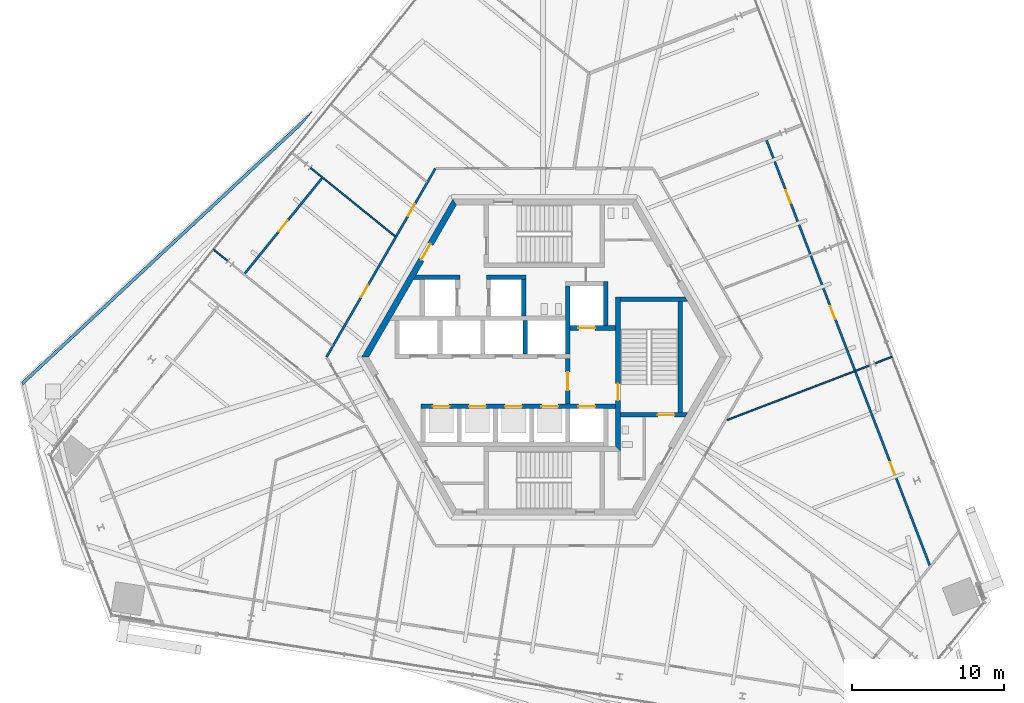
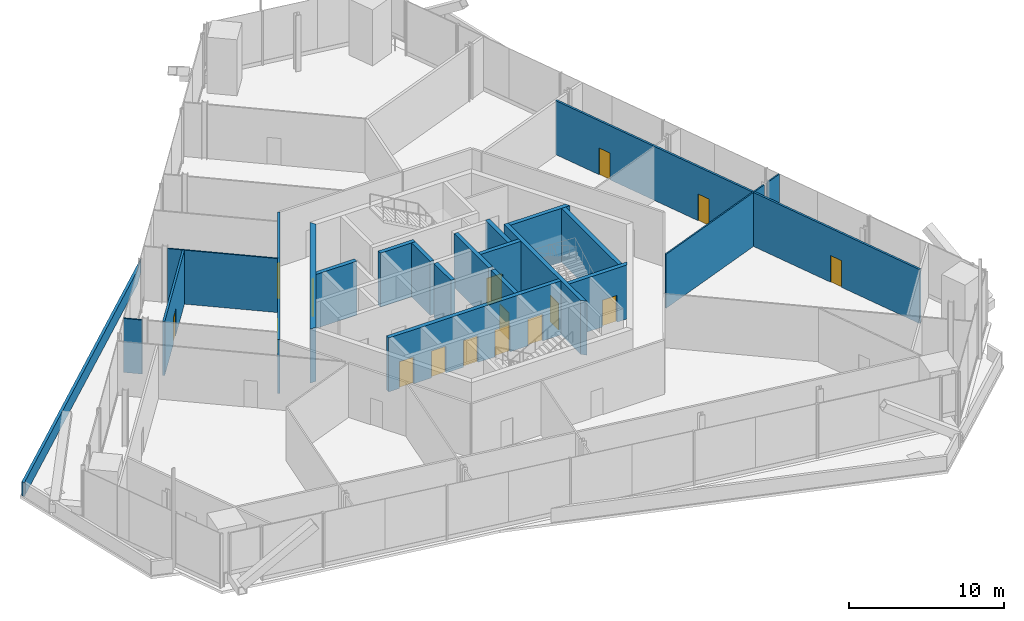
# One storey, part 15 of 22: 22 walls, 16 doors, 16 openings.
"""IFC4 building model written with IfcOpenShell, lengths in metres."""

from ifc_helpers import new_model, si_unit, direction, frame, frame_2d, origin, place, context, subcontext, project, spatial, polyline, rectangle, outline, extrude, source, transform, mapped, material, layer, layer_set, type_object, element, fill, save


model = new_model("IFC4")

# Units and contexts
model_context = context("Model", 3, precision=1e-05, world=origin(), true_north=direction((0.0, 1.0)))
body_context = subcontext(model_context, "Body", "Model", "MODEL_VIEW")
ifc_project = project(units=[si_unit("LENGTHUNIT", "METRE"), si_unit("AREAUNIT", "SQUARE_METRE"), si_unit("VOLUMEUNIT", "CUBIC_METRE"), si_unit("PLANEANGLEUNIT", "RADIAN"), si_unit("MASSUNIT", "GRAM", prefix="KILO")], contexts=[model_context])

# Site, building, storey
site_placement = place(None, origin())
site = spatial("IfcSite", under=ifc_project, at=site_placement, CompositionType="ELEMENT")
building_placement = place(site_placement, origin())
building = spatial("IfcBuilding", under=site, at=building_placement, Name="Triune Harvest Tower", CompositionType="ELEMENT")
storey_placement = place(building_placement, frame((0.0, 0.0, 138.10009765625)))
storey = spatial("IfcBuildingStorey", under=building, at=storey_placement, Name="L35", CompositionType="ELEMENT", Elevation=138.10009765625)

# Walls
ifc_material_1 = material(Name="Concrete 70 MPa", Category="concrete")
ifc_layer_1 = layer(ifc_material_1, 0.300048828125)
ifc_layer_set_1 = layer_set([ifc_layer_1], Name="Concrete 70 MPa")
wall_type_1 = type_object("IfcWallType", Name="Core wall 300", PredefinedType="SHEAR", material=ifc_layer_set_1)
wall_1_placement = place(storey_placement, frame((1.550048828125, 0.2099609375, 0.0), z_axis=(0.0, 0.0, 1.0), x_axis=(0.0, 1.0, 0.0)))
element("IfcWall", 1, at=wall_1_placement, inside=storey, type_object=wall_type_1, Name="Ff1 west wall", PredefinedType="SHEAR", context=body_context, shape_type="SweptSolid", body=[
    extrude(rectangle(XDim=4.449951171875, YDim=0.300048828125, at=frame_2d((2.22509765625, 0.0))), origin(), (0.0, 0.0, 1.0), 4.239990234375),
])
wall_2_placement = place(storey_placement, frame((4.050048828125, 2.06005859375, 0.0), z_axis=(0.0, 0.0, 1.0), x_axis=(0.0, 1.0, 0.0)))
element("IfcWall", 2, at=wall_2_placement, inside=storey, type_object=wall_type_1, Name="Ff1 east wall", PredefinedType="SHEAR", context=body_context, shape_type="SweptSolid", body=[
    extrude(rectangle(XDim=2.89990234375, YDim=0.300048828125, at=frame_2d((1.449951171875, 0.0))), origin(), (0.0, 0.0, 1.0), 4.239990234375),
])

# Wall, openings, doors
wall_3_placement = place(storey_placement, frame((-8.10009765625, -3.239990234375, 0.0), z_axis=(0.0, 0.0, 1.0), x_axis=(1.0, 0.0, 0.0)))
wall_3 = element("IfcWall", 3, at=wall_3_placement, inside=storey, type_object=wall_type_1, Name="South front wall", PredefinedType="SHEAR", context=body_context, shape_type="SweptSolid", body=[
    extrude(rectangle(XDim=12.800048828125, YDim=0.300048828125, at=frame_2d((6.39990234375, 0.0))), origin(), (0.0, 0.0, 1.0), 4.239990234375),
])
opening_1_placement = place(wall_3_placement, frame((0.78759765625, 0.0, 0.0)))
opening_1 = element("IfcOpeningElement", 4, at=opening_1_placement, cuts=wall_3, Name="Opening LD-HR1-35", PredefinedType="OPENING", context=body_context, shape_type="SweptSolid", body=[
    extrude(rectangle(XDim=1.10009765625, YDim=2.10009765625, at=frame_2d((0.550048828125, 1.050048828125))), frame((0.0, 0.16015625, 0.0), z_axis=(0.0, -1.0, 0.0), x_axis=(1.0, 0.0, 0.0)), (0.0, 0.0, 1.0), 0.320068359375),
])
opening_2_placement = place(wall_3_placement, frame((3.16259765625, 0.0, 0.0)))
opening_2 = element("IfcOpeningElement", 5, at=opening_2_placement, cuts=wall_3, Name="Opening LD-HR2-35", PredefinedType="OPENING", context=body_context, shape_type="SweptSolid", body=[
    extrude(rectangle(XDim=1.10009765625, YDim=2.10009765625, at=frame_2d((0.550048828125, 1.050048828125))), frame((0.0, 0.16015625, 0.0), z_axis=(0.0, -1.0, 0.0), x_axis=(1.0, 0.0, 0.0)), (0.0, 0.0, 1.0), 0.320068359375),
])
opening_3_placement = place(wall_3_placement, frame((5.53759765625, 0.0, 0.0)))
opening_3 = element("IfcOpeningElement", 6, at=opening_3_placement, cuts=wall_3, Name="Opening LD-HR3-35", PredefinedType="OPENING", context=body_context, shape_type="SweptSolid", body=[
    extrude(rectangle(XDim=1.10009765625, YDim=2.10009765625, at=frame_2d((0.550048828125, 1.050048828125))), frame((0.0, 0.16015625, 0.0), z_axis=(0.0, -1.0, 0.0), x_axis=(1.0, 0.0, 0.0)), (0.0, 0.0, 1.0), 0.320068359375),
])
opening_4_placement = place(wall_3_placement, frame((7.91259765625, 0.0, 0.0)))
opening_4 = element("IfcOpeningElement", 7, at=opening_4_placement, cuts=wall_3, Name="Opening LD-HR4-35", PredefinedType="OPENING", context=body_context, shape_type="SweptSolid", body=[
    extrude(rectangle(XDim=1.10009765625, YDim=2.10009765625, at=frame_2d((0.550048828125, 1.050048828125))), frame((0.0, 0.16015625, 0.0), z_axis=(0.0, -1.0, 0.0), x_axis=(1.0, 0.0, 0.0)), (0.0, 0.0, 1.0), 0.320068359375),
])
opening_5_placement = place(wall_3_placement, frame((10.35009765625, 0.0, 0.0)))
opening_5 = element("IfcOpeningElement", 8, at=opening_5_placement, cuts=wall_3, Name="Opening LD-FF2-35", PredefinedType="OPENING", context=body_context, shape_type="SweptSolid", body=[
    extrude(rectangle(XDim=1.10009765625, YDim=2.10009765625, at=frame_2d((0.550048828125, 1.050048828125))), frame((0.0, 0.16015625, 0.0), z_axis=(0.0, -1.0, 0.0), x_axis=(1.0, 0.0, 0.0)), (0.0, 0.0, 1.0), 0.320068359375),
])
ifc_material_2 = material(Name="Stainless steel AISI 304", Category="steel")
door_type_1 = type_object("IfcDoorType", Name="Landing door 1100 x 2100", OperationType="DOUBLE_DOOR_SLIDING", PredefinedType="DOOR", material=ifc_material_2)
door_1_placement = place(opening_1_placement, origin())
door_1 = element("IfcDoor", 9, at=door_1_placement, inside=storey, type_object=door_type_1, Name="Door LD-HR1-35", OperationType="DOUBLE_DOOR_SLIDING", OverallHeight=2.10009765625, OverallWidth=1.10009765625, PredefinedType="DOOR", context=body_context, shape_type="SweptSolid", body=[
    extrude(rectangle(XDim=1.10009765625, YDim=2.10009765625, at=frame_2d((0.550048828125, 1.050048828125))), frame((0.0, 0.02490234375, 0.0), z_axis=(0.0, -1.0, 0.0), x_axis=(1.0, 0.0, 0.0)), (0.0, 0.0, 1.0), 0.050048828125),
])
fill(opening_1, door_1)
door_2_placement = place(opening_2_placement, origin())
door_2 = element("IfcDoor", 10, at=door_2_placement, inside=storey, type_object=door_type_1, Name="Door LD-HR2-35", OperationType="DOUBLE_DOOR_SLIDING", OverallHeight=2.10009765625, OverallWidth=1.10009765625, PredefinedType="DOOR", context=body_context, shape_type="SweptSolid", body=[
    extrude(rectangle(XDim=1.10009765625, YDim=2.10009765625, at=frame_2d((0.550048828125, 1.050048828125))), frame((0.0, 0.02490234375, 0.0), z_axis=(0.0, -1.0, 0.0), x_axis=(1.0, 0.0, 0.0)), (0.0, 0.0, 1.0), 0.050048828125),
])
fill(opening_2, door_2)
door_3_placement = place(opening_3_placement, origin())
door_3 = element("IfcDoor", 11, at=door_3_placement, inside=storey, type_object=door_type_1, Name="Door LD-HR3-35", OperationType="DOUBLE_DOOR_SLIDING", OverallHeight=2.10009765625, OverallWidth=1.10009765625, PredefinedType="DOOR", context=body_context, shape_type="SweptSolid", body=[
    extrude(rectangle(XDim=1.10009765625, YDim=2.10009765625, at=frame_2d((0.550048828125, 1.050048828125))), frame((0.0, 0.02490234375, 0.0), z_axis=(0.0, -1.0, 0.0), x_axis=(1.0, 0.0, 0.0)), (0.0, 0.0, 1.0), 0.050048828125),
])
fill(opening_3, door_3)
door_4_placement = place(opening_4_placement, origin())
door_4 = element("IfcDoor", 12, at=door_4_placement, inside=storey, type_object=door_type_1, Name="Door LD-HR4-35", OperationType="DOUBLE_DOOR_SLIDING", OverallHeight=2.10009765625, OverallWidth=1.10009765625, PredefinedType="DOOR", context=body_context, shape_type="SweptSolid", body=[
    extrude(rectangle(XDim=1.10009765625, YDim=2.10009765625, at=frame_2d((0.550048828125, 1.050048828125))), frame((0.0, 0.02490234375, 0.0), z_axis=(0.0, -1.0, 0.0), x_axis=(1.0, 0.0, 0.0)), (0.0, 0.0, 1.0), 0.050048828125),
])
fill(opening_4, door_4)
door_5_placement = place(opening_5_placement, origin())
door_5 = element("IfcDoor", 13, at=door_5_placement, inside=storey, type_object=door_type_1, Name="Door LD-FF2-35", OperationType="DOUBLE_DOOR_SLIDING", OverallHeight=2.10009765625, OverallWidth=1.10009765625, PredefinedType="DOOR", context=body_context, shape_type="SweptSolid", body=[
    extrude(rectangle(XDim=1.10009765625, YDim=2.10009765625, at=frame_2d((0.550048828125, 1.050048828125))), frame((0.0, 0.02490234375, 0.0), z_axis=(0.0, -1.0, 0.0), x_axis=(1.0, 0.0, 0.0)), (0.0, 0.0, 1.0), 0.050048828125),
])
fill(opening_5, door_5)

# Wall, opening, door
wall_4_placement = place(storey_placement, frame((4.85009765625, -6.0400390625, 0.0), z_axis=(0.0, 0.0, 1.0), x_axis=(0.0, 1.0, 0.0)))
wall_4 = element("IfcWall", 14, at=wall_4_placement, inside=storey, type_object=wall_type_1, Name="Stair e west wall", PredefinedType="SHEAR", context=body_context, shape_type="SweptSolid", body=[
    extrude(outline(polyline([(-0.14990234375, -0.14990234375), (9.989990234375, -0.14990234375), (9.989990234375, 0.14990234375), (0.14990234375, 0.14990234375), (-0.14990234375, -0.14990234375)])), origin(), (0.0, 0.0, 1.0), 4.239990234375),
])
opening_6_placement = place(wall_4_placement, frame((3.18994140625, 0.0, 0.0)))
opening_6 = element("IfcOpeningElement", 15, at=opening_6_placement, cuts=wall_4, Name="Opening CD-S3L", PredefinedType="OPENING", context=body_context, shape_type="SweptSolid", body=[
    extrude(rectangle(XDim=1.10009765625, YDim=2.10009765625, at=frame_2d((0.550048828125, 1.050048828125))), frame((0.0, 0.16015625, 0.0), z_axis=(0.0, -1.0, 0.0), x_axis=(1.0, 0.0, 0.0)), (0.0, 0.0, 1.0), 0.320068359375),
])
ifc_material_3 = material(Name="Steel S235", Category="steel")
door_type_2 = type_object("IfcDoorType", Name="Stair door 1100 FD120", OperationType="SINGLE_SWING_LEFT", PredefinedType="DOOR", material=ifc_material_3)
door_6_placement = place(opening_6_placement, frame((1.10009765625, 0.0, 0.0), z_axis=(0.0, 0.0, 1.0), x_axis=(-1.0, 0.0, 0.0)))
door_6 = element("IfcDoor", 16, at=door_6_placement, inside=storey, type_object=door_type_2, Name="Door CD-S3L", OperationType="SINGLE_SWING_RIGHT", OverallHeight=2.10009765625, OverallWidth=1.10009765625, PredefinedType="DOOR", context=body_context, shape_type="SweptSolid", body=[
    extrude(rectangle(XDim=1.10009765625, YDim=2.10009765625, at=frame_2d((0.550048828125, 1.050048828125))), frame((0.0, 0.02490234375, 0.0), z_axis=(0.0, -1.0, 0.0), x_axis=(1.0, 0.0, 0.0)), (0.0, 0.0, 1.0), 0.050048828125),
])
fill(opening_6, door_6)

# Wall
wall_5_placement = place(storey_placement, frame((5.0, 3.800048828125, 0.0), z_axis=(0.0, 0.0, 1.0), x_axis=(1.0, 0.0, 0.0)))
element("IfcWall", 17, at=wall_5_placement, inside=storey, type_object=wall_type_1, Name="Stair e north wall", PredefinedType="SHEAR", context=body_context, shape_type="SweptSolid", body=[
    extrude(outline(polyline([(0.0, -0.14990234375), (0.0, 0.14990234375), (4.260009765625, 0.14990234375), (4.43310546875, -0.14990234375), (0.0, -0.14990234375)])), origin(), (0.0, 0.0, 1.0), 4.239990234375),
])

# Wall, opening, door
wall_6_placement = place(storey_placement, frame((5.0, -3.800048828125, 0.0), z_axis=(0.0, 0.0, 1.0), x_axis=(1.0, 0.0, 0.0)))
wall_6 = element("IfcWall", 18, at=wall_6_placement, inside=storey, type_object=wall_type_1, Name="Stair e south wall", PredefinedType="SHEAR", context=body_context, shape_type="SweptSolid", body=[
    extrude(outline(polyline([(0.0, -0.14990234375), (0.0, 0.14990234375), (4.43310546875, 0.14990234375), (4.260009765625, -0.14990234375), (0.0, -0.14990234375)])), origin(), (0.0, 0.0, 1.0), 4.239990234375),
])
opening_7_placement = place(wall_6_placement, frame((2.449951171875, 0.0, 0.0)))
opening_7 = element("IfcOpeningElement", 19, at=opening_7_placement, cuts=wall_6, Name="Opening CD-S3D", PredefinedType="OPENING", context=body_context, shape_type="SweptSolid", body=[
    extrude(rectangle(XDim=1.10009765625, YDim=2.10009765625, at=frame_2d((0.550048828125, 1.050048828125))), frame((0.0, 0.16015625, 0.0), z_axis=(0.0, -1.0, 0.0), x_axis=(1.0, 0.0, 0.0)), (0.0, 0.0, 1.0), 0.320068359375),
])
door_7_placement = place(opening_7_placement, frame((1.10009765625, 0.0, 0.0), z_axis=(0.0, 0.0, 1.0), x_axis=(-1.0, 0.0, 0.0)))
door_7 = element("IfcDoor", 20, at=door_7_placement, inside=storey, type_object=door_type_2, Name="Door CD-S3D", OperationType="SINGLE_SWING_RIGHT", OverallHeight=2.10009765625, OverallWidth=1.10009765625, PredefinedType="DOOR", context=body_context, shape_type="SweptSolid", body=[
    extrude(rectangle(XDim=1.10009765625, YDim=2.10009765625, at=frame_2d((0.550048828125, 1.050048828125))), frame((0.0, 0.02490234375, 0.0), z_axis=(0.0, -1.0, 0.0), x_axis=(1.0, 0.0, 0.0)), (0.0, 0.0, 1.0), 0.050048828125),
])
fill(opening_7, door_7)

# Walls
wall_7_placement = place(storey_placement, frame((8.949951171875, -3.64990234375, 0.0), z_axis=(0.0, 0.0, 1.0), x_axis=(0.0, 1.0, 0.0)))
element("IfcWall", 21, at=wall_7_placement, inside=storey, type_object=wall_type_1, Name="Stair e east wall", PredefinedType="SHEAR", context=body_context, shape_type="SweptSolid", body=[
    extrude(rectangle(XDim=7.2998046875, YDim=0.300048828125, at=frame_2d((3.64990234375, 0.0))), origin(), (0.0, 0.0, 1.0), 4.239990234375),
])
wall_8_placement = place(storey_placement, frame((-8.14990234375, 5.260009765625, 0.0), z_axis=(0.0, 0.0, 1.0), x_axis=(1.0, 0.0, 0.0)))
element("IfcWall", 22, at=wall_8_placement, inside=storey, type_object=wall_type_1, Name="Sv1 north wall", PredefinedType="SHEAR", context=body_context, shape_type="SweptSolid", body=[
    extrude(outline(polyline([(2.60009765625, -0.14990234375), (-0.440185546875, -0.14990234375), (-0.26708984375, 0.14990234375), (2.60009765625, 0.14990234375), (2.60009765625, -0.14990234375)])), origin(), (0.0, 0.0, 1.0), 4.239990234375),
])
wall_9_placement = place(storey_placement, frame((-3.800048828125, 5.260009765625, 0.0), z_axis=(0.0, 0.0, 1.0), x_axis=(1.0, 0.0, 0.0)))
element("IfcWall", 23, at=wall_9_placement, inside=storey, type_object=wall_type_1, Name="Sv2 north wall", PredefinedType="SHEAR", context=body_context, shape_type="SweptSolid", body=[
    extrude(rectangle(XDim=2.60009765625, YDim=0.300048828125, at=frame_2d((1.300048828125, 0.0))), origin(), (0.0, 0.0, 1.0), 4.239990234375),
])

# Wall, openings, doors
ifc_material_4 = material(Name="Gypsum board on steel studs", Category="steel")
ifc_layer_2 = layer(ifc_material_4, 0.14990234375)
ifc_layer_set_2 = layer_set([ifc_layer_2], Name="Gypsum board on steel studs")
wall_type_2 = type_object("IfcWallType", Name="Fire Partition 150 mm", PredefinedType="PARTITIONING", material=ifc_layer_set_2)
wall_10_placement = place(storey_placement, frame((14.575439453125, 14.351806640625, 0.0), z_axis=(0.0, 0.0, 1.0), x_axis=(0.358364341147, -0.933581811624, 0.0)))
wall_10 = element("IfcWall", 24, at=wall_10_placement, inside=storey, type_object=wall_type_2, Name="Partition L35 004", PredefinedType="PARTITIONING", context=body_context, shape_type="SweptSolid", body=[
    extrude(rectangle(XDim=30.129638671875, YDim=0.14990234375, at=frame_2d((15.06494140625, 0.0))), origin(), (0.0, 0.0, 1.0), 4.239990234375),
])
opening_8_placement = place(wall_10_placement, frame((22.779541015625, 0.0, 0.0)))
opening_8 = element("IfcOpeningElement", 25, at=opening_8_placement, cuts=wall_10, Name="Opening L35-002", PredefinedType="OPENING", context=body_context, shape_type="SweptSolid", body=[
    extrude(rectangle(XDim=0.89990234375, YDim=2.10009765625, at=frame_2d((0.449951171875, 1.050048828125))), frame((0.0, 0.0849609375, 0.0), z_axis=(0.0, -1.0, 0.0), x_axis=(1.0, 0.0, 0.0)), (0.0, 0.0, 1.0), 0.169921875),
])
opening_9_placement = place(wall_10_placement, frame((11.80029296875, 0.0, 0.0)))
opening_9 = element("IfcOpeningElement", 26, at=opening_9_placement, cuts=wall_10, Name="Opening L35-005", PredefinedType="OPENING", context=body_context, shape_type="SweptSolid", body=[
    extrude(rectangle(XDim=0.89990234375, YDim=2.10009765625, at=frame_2d((0.449951171875, 1.050048828125))), frame((0.0, 0.0849609375, 0.0), z_axis=(0.0, -1.0, 0.0), x_axis=(1.0, 0.0, 0.0)), (0.0, 0.0, 1.0), 0.169921875),
])
opening_10_placement = place(wall_10_placement, frame((3.625244140625, 0.0, 0.0)))
opening_10 = element("IfcOpeningElement", 27, at=opening_10_placement, cuts=wall_10, Name="Opening L35-007", PredefinedType="OPENING", context=body_context, shape_type="SweptSolid", body=[
    extrude(rectangle(XDim=0.89990234375, YDim=2.10009765625, at=frame_2d((0.449951171875, 1.050048828125))), frame((0.0, 0.0849609375, 0.0), z_axis=(0.0, -1.0, 0.0), x_axis=(1.0, 0.0, 0.0)), (0.0, 0.0, 1.0), 0.169921875),
])
ifc_material_5 = material(Name="Timber and steel door set", Category="steel")
door_type_3 = type_object("IfcDoorType", Name="Single leaf door FD30 left hand 900 x 2100", OperationType="SINGLE_SWING_LEFT", PredefinedType="DOOR", material=ifc_material_5)
door_8_placement = place(opening_9_placement, origin())
door_8 = element("IfcDoor", 28, at=door_8_placement, inside=storey, type_object=door_type_3, Name="Door L35-005 Dry Store Room 35.05", OperationType="SINGLE_SWING_LEFT", OverallHeight=2.10009765625, OverallWidth=0.89990234375, PredefinedType="DOOR", context=body_context, shape_type="SweptSolid", body=[
    extrude(rectangle(XDim=0.89990234375, YDim=2.10009765625, at=frame_2d((0.449951171875, 1.050048828125))), frame((0.0, 0.02490234375, 0.0), z_axis=(0.0, -1.0, 0.0), x_axis=(1.0, 0.0, 0.0)), (0.0, 0.0, 1.0), 0.050048828125),
])
fill(opening_9, door_8)
door_9_placement = place(opening_10_placement, origin())
door_9 = element("IfcDoor", 29, at=door_9_placement, inside=storey, type_object=door_type_3, Name="Door L35-007 Dry Store Room 35.07", OperationType="SINGLE_SWING_LEFT", OverallHeight=2.10009765625, OverallWidth=0.89990234375, PredefinedType="DOOR", context=body_context, shape_type="SweptSolid", body=[
    extrude(rectangle(XDim=0.89990234375, YDim=2.10009765625, at=frame_2d((0.449951171875, 1.050048828125))), frame((0.0, 0.02490234375, 0.0), z_axis=(0.0, -1.0, 0.0), x_axis=(1.0, 0.0, 0.0)), (0.0, 0.0, 1.0), 0.050048828125),
])
fill(opening_10, door_9)
ifc_material_6 = material(Name="Timber and steel door set", Category="steel")
door_type_4 = type_object("IfcDoorType", Name="Single leaf door FD30 right hand 900 x 2100", OperationType="SINGLE_SWING_RIGHT", PredefinedType="DOOR", material=ifc_material_6)
door_10_placement = place(opening_8_placement, origin())
door_10 = element("IfcDoor", 30, at=door_10_placement, inside=storey, type_object=door_type_4, Name="Door L35-002 Dry Store Room 35.02", OperationType="SINGLE_SWING_RIGHT", OverallHeight=2.10009765625, OverallWidth=0.89990234375, PredefinedType="DOOR", context=body_context, shape_type="SweptSolid", body=[
    extrude(rectangle(XDim=0.89990234375, YDim=2.10009765625, at=frame_2d((0.449951171875, 1.050048828125))), frame((0.0, 0.02490234375, 0.0), z_axis=(0.0, -1.0, 0.0), x_axis=(1.0, 0.0, 0.0)), (0.0, 0.0, 1.0), 0.050048828125),
])
fill(opening_8, door_10)

# Wall, opening, door
wall_11_placement = place(storey_placement, frame((-19.69775390625, 5.470458984375, 0.0), z_axis=(0.0, 0.0, 1.0), x_axis=(0.629315491766, 0.777149928793, 0.0)))
wall_11 = element("IfcWall", 31, at=wall_11_placement, inside=storey, type_object=wall_type_2, Name="Partition L35 037", PredefinedType="PARTITIONING", context=body_context, shape_type="SweptSolid", body=[
    extrude(rectangle(XDim=8.14501953125, YDim=0.14990234375, at=frame_2d((4.072509765625, 0.0))), origin(), (0.0, 0.0, 1.0), 4.239990234375),
])
opening_11_placement = place(wall_11_placement, frame((3.594970703125, 0.0, 0.0)))
opening_11 = element("IfcOpeningElement", 32, at=opening_11_placement, cuts=wall_11, Name="Opening L35-014", PredefinedType="OPENING", context=body_context, shape_type="SweptSolid", body=[
    extrude(rectangle(XDim=0.89990234375, YDim=2.10009765625, at=frame_2d((0.449951171875, 1.050048828125))), frame((0.0, 0.0849609375, 0.0), z_axis=(0.0, -1.0, 0.0), x_axis=(1.0, 0.0, 0.0)), (0.0, 0.0, 1.0), 0.169921875),
])
door_11_placement = place(opening_11_placement, origin())
door_11 = element("IfcDoor", 33, at=door_11_placement, inside=storey, type_object=door_type_3, Name="Door L35-014 Dry Store Room 35.14", OperationType="SINGLE_SWING_LEFT", OverallHeight=2.10009765625, OverallWidth=0.89990234375, PredefinedType="DOOR", context=body_context, shape_type="SweptSolid", body=[
    extrude(rectangle(XDim=0.89990234375, YDim=2.10009765625, at=frame_2d((0.449951171875, 1.050048828125))), frame((0.0, 0.02490234375, 0.0), z_axis=(0.0, -1.0, 0.0), x_axis=(1.0, 0.0, 0.0)), (0.0, 0.0, 1.0), 0.050048828125),
])
fill(opening_11, door_11)

# Wall, openings, doors
wall_12_placement = place(storey_placement, frame((-14.309814453125, -0.000244140625, 0.0), z_axis=(0.0, 0.0, 1.0), x_axis=(0.500029144732, 0.866008576411, 0.0)))
wall_12 = element("IfcWall", 34, at=wall_12_placement, inside=storey, type_object=wall_type_2, Name="Partition L35 039", PredefinedType="PARTITIONING", context=body_context, shape_type="SweptSolid", body=[
    extrude(rectangle(XDim=14.309814453125, YDim=0.14990234375, at=frame_2d((7.15478515625, 0.0))), origin(), (0.0, 0.0, 1.0), 4.239990234375),
])
opening_12_placement = place(wall_12_placement, frame((10.706298828125, 0.0, 0.0)))
opening_12 = element("IfcOpeningElement", 35, at=opening_12_placement, cuts=wall_12, Name="Opening L35-011", PredefinedType="OPENING", context=body_context, shape_type="SweptSolid", body=[
    extrude(rectangle(XDim=0.89990234375, YDim=2.10009765625, at=frame_2d((0.449951171875, 1.050048828125))), frame((0.0, 0.0849609375, 0.0), z_axis=(0.0, -1.0, 0.0), x_axis=(1.0, 0.0, 0.0)), (0.0, 0.0, 1.0), 0.169921875),
])
opening_13_placement = place(wall_12_placement, frame((4.56787109375, 0.0, 0.0)))
opening_13 = element("IfcOpeningElement", 36, at=opening_13_placement, cuts=wall_12, Name="Opening L35-013", PredefinedType="OPENING", context=body_context, shape_type="SweptSolid", body=[
    extrude(rectangle(XDim=0.89990234375, YDim=2.10009765625, at=frame_2d((0.449951171875, 1.050048828125))), frame((0.0, 0.0849609375, 0.0), z_axis=(0.0, -1.0, 0.0), x_axis=(1.0, 0.0, 0.0)), (0.0, 0.0, 1.0), 0.169921875),
])
door_12_placement = place(opening_13_placement, origin())
door_12 = element("IfcDoor", 37, at=door_12_placement, inside=storey, type_object=door_type_3, Name="Door L35-013 Market Stall 35.13", OperationType="SINGLE_SWING_LEFT", OverallHeight=2.10009765625, OverallWidth=0.89990234375, PredefinedType="DOOR", context=body_context, shape_type="SweptSolid", body=[
    extrude(rectangle(XDim=0.89990234375, YDim=2.10009765625, at=frame_2d((0.449951171875, 1.050048828125))), frame((0.0, 0.02490234375, 0.0), z_axis=(0.0, -1.0, 0.0), x_axis=(1.0, 0.0, 0.0)), (0.0, 0.0, 1.0), 0.050048828125),
])
fill(opening_13, door_12)
door_13_placement = place(opening_12_placement, origin())
door_13 = element("IfcDoor", 38, at=door_13_placement, inside=storey, type_object=door_type_4, Name="Door L35-011 Dry Store Room 35.11", OperationType="SINGLE_SWING_RIGHT", OverallHeight=2.10009765625, OverallWidth=0.89990234375, PredefinedType="DOOR", context=body_context, shape_type="SweptSolid", body=[
    extrude(rectangle(XDim=0.89990234375, YDim=2.10009765625, at=frame_2d((0.449951171875, 1.050048828125))), frame((0.0, 0.02490234375, 0.0), z_axis=(0.0, -1.0, 0.0), x_axis=(1.0, 0.0, 0.0)), (0.0, 0.0, 1.0), 0.050048828125),
])
fill(opening_12, door_13)

# Walls
ifc_material_7 = material(Name="Concrete 40 MPa", Category="concrete")
ifc_layer_3 = layer(ifc_material_7, 0.199951171875)
ifc_layer_set_3 = layer_set([ifc_layer_3], Name="Concrete 40 MPa")
wall_type_3 = type_object("IfcWallType", Name="PA-1 parapet 200", PredefinedType="PARAPET", material=ifc_layer_set_3)
wall_13_placement = place(storey_placement, origin())
element("IfcWall", 39, at=wall_13_placement, inside=storey, type_object=wall_type_3, Name="Parapet wedge L34 3.2", PredefinedType="PARAPET", context=body_context, shape_type="SweptSolid", body=[
    extrude(outline(polyline([(-15.2548828125, 16.162353515625), (-15.23583984375, 16.14453125), (-16.0224609375, 15.173095703125), (-34.12353515625, -1.706298828125), (-34.118408203125, -1.728759765625), (-34.236572265625, -1.839111328125), (-34.318359375, -1.751220703125), (-34.344482421875, -1.638671875), (-15.2548828125, 16.162353515625)])), origin(), (0.0, 0.0, 1.0), 1.099853515625),
])
ifc_material_8 = material(Name="Gypsum board on steel studs", Category="steel")
ifc_layer_4 = layer(ifc_material_8, 0.10009765625)
ifc_layer_set_4 = layer_set([ifc_layer_4], Name="Gypsum board on steel studs")
wall_type_4 = type_object("IfcWallType", Name="Partition 100 mm", PredefinedType="PARTITIONING", material=ifc_layer_set_4)
wall_14_placement = place(storey_placement, frame((12.02880859375, -4.139404296875, 0.0), z_axis=(0.0, 0.0, 1.0), x_axis=(0.933570439325, 0.358393965935, 0.0)))
element("IfcWall", 40, at=wall_14_placement, inside=storey, type_object=wall_type_4, Name="Partition L35 025", PredefinedType="PARTITIONING", context=body_context, shape_type="SweptSolid", body=[
    extrude(rectangle(XDim=10.0390625, YDim=0.10009765625, at=frame_2d((5.01953125, 0.0))), origin(), (0.0, 0.0, 1.0), 4.239990234375),
])

# Wall, opening, door
ifc_material_9 = material(Name="Concrete 70 MPa", Category="concrete")
ifc_layer_5 = layer(ifc_material_9, 0.39990234375)
ifc_layer_set_5 = layer_set([ifc_layer_5], Name="Concrete 70 MPa")
wall_type_5 = type_object("IfcWallType", Name="Core wall 400", PredefinedType="SHEAR", material=ifc_layer_set_5)
shared_shape_1 = source(origin(), body_context, "Body", "SweptSolid", [
    extrude(outline(polyline([(-0.115478515625, -0.199951171875), (11.884521484375, -0.199951171875), (11.653564453125, 0.199951171875), (0.115478515625, 0.199951171875), (-0.115478515625, -0.199951171875)])), origin(), (0.0, 0.0, 1.0), 4.239990234375),
])
wall_15_placement = place(storey_placement, frame((-5.884521484375, 10.1923828125, 0.0), z_axis=(0.0, 0.0, 1.0), x_axis=(-0.499996592174, -0.866027371285, 0.0)))
wall_15 = element("IfcWall", 41, at=wall_15_placement, inside=storey, type_object=wall_type_5, Name="Hexagon 2 wall", PredefinedType="SHEAR", context=body_context, shape_type="MappedRepresentation", body=[
    mapped(shared_shape_1, transform((0.0, 0.0, 0.0), scale=1.0)),
])
opening_14_placement = place(wall_15_placement, frame((3.1845703125, 0.0, 0.0)))
opening_14 = element("IfcOpeningElement", 42, at=opening_14_placement, cuts=wall_15, Name="Opening CD-SVP", PredefinedType="OPENING", context=body_context, shape_type="SweptSolid", body=[
    extrude(rectangle(XDim=1.199951171875, YDim=2.10009765625, at=frame_2d((0.60009765625, 1.050048828125))), frame((0.0, 0.2099609375, 0.0), z_axis=(0.0, -1.0, 0.0), x_axis=(1.0, 0.0, 0.0)), (0.0, 0.0, 1.0), 0.419921875),
])
ifc_material_10 = material(Name="Steel S235", Category="steel")
door_type_5 = type_object("IfcDoorType", Name="Service door 1200 FD120", OperationType="SINGLE_SWING_LEFT", PredefinedType="DOOR", material=ifc_material_10)
door_14_placement = place(opening_14_placement, frame((1.199951171875, 0.0, 0.0), z_axis=(0.0, 0.0, 1.0), x_axis=(-1.0, 0.0, 0.0)))
door_14 = element("IfcDoor", 43, at=door_14_placement, inside=storey, type_object=door_type_5, Name="Door CD-SVP", OperationType="SINGLE_SWING_RIGHT", OverallHeight=2.10009765625, OverallWidth=1.199951171875, PredefinedType="DOOR", context=body_context, shape_type="SweptSolid", body=[
    extrude(rectangle(XDim=1.199951171875, YDim=2.10009765625, at=frame_2d((0.60009765625, 1.050048828125))), frame((0.0, 0.02490234375, 0.0), z_axis=(0.0, -1.0, 0.0), x_axis=(1.0, 0.0, 0.0)), (0.0, 0.0, 1.0), 0.050048828125),
])
fill(opening_14, door_14)

shared_shape_2 = source(origin(), body_context, "Body", "SweptSolid", [
    extrude(rectangle(XDim=3.0, YDim=0.300048828125, at=frame_2d((1.5, 0.0))), origin(), (0.0, 0.0, 1.0), 4.239990234375),
])
wall_16_placement = place(storey_placement, frame((1.699951171875, 1.909912109375, 0.0), z_axis=(0.0, 0.0, 1.0), x_axis=(1.0, 0.0, 0.0)))
wall_16 = element("IfcWall", 44, at=wall_16_placement, inside=storey, type_object=wall_type_1, Name="Ff1 front wall", PredefinedType="SHEAR", context=body_context, shape_type="MappedRepresentation", body=[
    mapped(shared_shape_2, transform((0.0, 0.0, 0.0), scale=1.0)),
])
opening_15_placement = place(wall_16_placement, frame((0.550048828125, 0.0, 0.0)))
opening_15 = element("IfcOpeningElement", 45, at=opening_15_placement, cuts=wall_16, Name="Opening LD-FF1-35", PredefinedType="OPENING", context=body_context, shape_type="SweptSolid", body=[
    extrude(rectangle(XDim=1.10009765625, YDim=2.10009765625, at=frame_2d((0.550048828125, 1.050048828125))), frame((0.0, 0.16015625, 0.0), z_axis=(0.0, -1.0, 0.0), x_axis=(1.0, 0.0, 0.0)), (0.0, 0.0, 1.0), 0.320068359375),
])
door_15_placement = place(opening_15_placement, origin())
door_15 = element("IfcDoor", 46, at=door_15_placement, inside=storey, type_object=door_type_1, Name="Door LD-FF1-35", OperationType="DOUBLE_DOOR_SLIDING", OverallHeight=2.10009765625, OverallWidth=1.10009765625, PredefinedType="DOOR", context=body_context, shape_type="SweptSolid", body=[
    extrude(rectangle(XDim=1.10009765625, YDim=2.10009765625, at=frame_2d((0.550048828125, 1.050048828125))), frame((0.0, 0.02490234375, 0.0), z_axis=(0.0, -1.0, 0.0), x_axis=(1.0, 0.0, 0.0)), (0.0, 0.0, 1.0), 0.050048828125),
])
fill(opening_15, door_15)

wall_17_placement = place(storey_placement, frame((1.550048828125, -3.090087890625, 0.0), z_axis=(0.0, 0.0, 1.0), x_axis=(0.0, 1.0, 0.0)))
wall_17 = element("IfcWall", 47, at=wall_17_placement, inside=storey, type_object=wall_type_1, Name="Ff lobby west wall", PredefinedType="SHEAR", context=body_context, shape_type="MappedRepresentation", body=[
    mapped(shared_shape_2, transform((0.0, 0.0, 0.0), scale=1.0)),
])
opening_16_placement = place(wall_17_placement, frame((0.89990234375, 0.0, 0.0)))
opening_16 = element("IfcOpeningElement", 48, at=opening_16_placement, cuts=wall_17, Name="Opening CD-FL", PredefinedType="OPENING", context=body_context, shape_type="SweptSolid", body=[
    extrude(rectangle(XDim=1.199951171875, YDim=2.10009765625, at=frame_2d((0.60009765625, 1.050048828125))), frame((0.0, 0.16015625, 0.0), z_axis=(0.0, -1.0, 0.0), x_axis=(1.0, 0.0, 0.0)), (0.0, 0.0, 1.0), 0.320068359375),
])
ifc_material_11 = material(Name="Steel S235", Category="steel")
door_type_6 = type_object("IfcDoorType", Name="Firefighters' lobby door 1200 FD120", OperationType="SINGLE_SWING_LEFT", PredefinedType="DOOR", material=ifc_material_11)
door_16_placement = place(opening_16_placement, frame((1.199951171875, 0.0, 0.0), z_axis=(0.0, 0.0, 1.0), x_axis=(-1.0, 0.0, 0.0)))
door_16 = element("IfcDoor", 49, at=door_16_placement, inside=storey, type_object=door_type_6, Name="Door CD-FL", OperationType="SINGLE_SWING_RIGHT", OverallHeight=2.10009765625, OverallWidth=1.199951171875, PredefinedType="DOOR", context=body_context, shape_type="SweptSolid", body=[
    extrude(rectangle(XDim=1.199951171875, YDim=2.10009765625, at=frame_2d((0.60009765625, 1.050048828125))), frame((0.0, 0.02490234375, 0.0), z_axis=(0.0, -1.0, 0.0), x_axis=(1.0, 0.0, 0.0)), (0.0, 0.0, 1.0), 0.050048828125),
])
fill(opening_16, door_16)

# Walls
shared_shape_3 = source(origin(), body_context, "Body", "SweptSolid", [
    extrude(rectangle(XDim=2.199951171875, YDim=0.300048828125, at=frame_2d((1.10009765625, 0.0))), origin(), (0.0, 0.0, 1.0), 4.239990234375),
])
wall_18_placement = place(storey_placement, frame((-1.25, 0.2099609375, 0.0), z_axis=(0.0, 0.0, 1.0), x_axis=(0.0, 1.0, 0.0)))
element("IfcWall", 50, at=wall_18_placement, inside=storey, type_object=wall_type_1, Name="North cross 3 wall", PredefinedType="SHEAR", context=body_context, shape_type="MappedRepresentation", body=[
    mapped(shared_shape_3, transform((0.0, 0.0, 0.0), scale=1.0)),
])
shared_shape_4 = source(origin(), body_context, "Body", "SweptSolid", [
    extrude(rectangle(XDim=2.400146484375, YDim=0.300048828125, at=frame_2d((1.2001953125, 0.0))), origin(), (0.0, 0.0, 1.0), 4.239990234375),
])
wall_19_placement = place(storey_placement, frame((-1.35009765625, 2.7099609375, 0.0), z_axis=(0.0, 0.0, 1.0), x_axis=(0.0, 1.0, 0.0)))
element("IfcWall", 51, at=wall_19_placement, inside=storey, type_object=wall_type_1, Name="Sv2 east wall", PredefinedType="SHEAR", context=body_context, shape_type="MappedRepresentation", body=[
    mapped(shared_shape_4, transform((0.0, 0.0, 0.0), scale=1.0)),
])
shared_shape_5 = source(origin(), body_context, "Body", "SweptSolid", [
    extrude(rectangle(XDim=1.212158203125, YDim=0.10009765625, at=frame_2d((0.60595703125, 0.0))), origin(), (0.0, 0.0, 1.0), 4.239990234375),
])
wall_20_placement = place(storey_placement, frame((-21.7373046875, 7.083251953125, 0.0), z_axis=(0.0, 0.0, 1.0), x_axis=(0.777061908225, -0.629424173977, 0.0)))
element("IfcWall", 52, at=wall_20_placement, inside=storey, type_object=wall_type_4, Name="Partition L35 010", PredefinedType="PARTITIONING", context=body_context, shape_type="MappedRepresentation", body=[
    mapped(shared_shape_5, transform((0.0, 0.0, 0.0), scale=1.0)),
])
shared_shape_6 = source(origin(), body_context, "Body", "SweptSolid", [
    extrude(rectangle(XDim=7.178466796875, YDim=0.10009765625, at=frame_2d((3.58935546875, 0.0))), origin(), (0.0, 0.0, 1.0), 4.239990234375),
])
wall_21_placement = place(storey_placement, frame((-15.3759765625, 12.451171875, 0.0), z_axis=(0.0, 0.0, 1.0), x_axis=(0.777138728418, -0.629329323004, 0.0)))
element("IfcWall", 53, at=wall_21_placement, inside=storey, type_object=wall_type_4, Name="Partition L35 013", PredefinedType="PARTITIONING", context=body_context, shape_type="MappedRepresentation", body=[
    mapped(shared_shape_6, transform((0.0, 0.0, 0.0), scale=1.0)),
])
shared_shape_7 = source(origin(), body_context, "Body", "SweptSolid", [
    extrude(rectangle(XDim=1.2119140625, YDim=0.10009765625, at=frame_2d((0.60595703125, 0.0))), origin(), (0.0, 0.0, 1.0), 4.239990234375),
])
wall_22_placement = place(storey_placement, frame((21.730712890625, -0.4150390625, 0.0), z_axis=(0.0, 0.0, 1.0), x_axis=(0.933568693938, 0.358398512412, 0.0)))
element("IfcWall", 54, at=wall_22_placement, inside=storey, type_object=wall_type_4, Name="Partition L35 026", PredefinedType="PARTITIONING", context=body_context, shape_type="MappedRepresentation", body=[
    mapped(shared_shape_7, transform((0.0, 0.0, 0.0), scale=1.0)),
])

save(model, "model.ifc")
